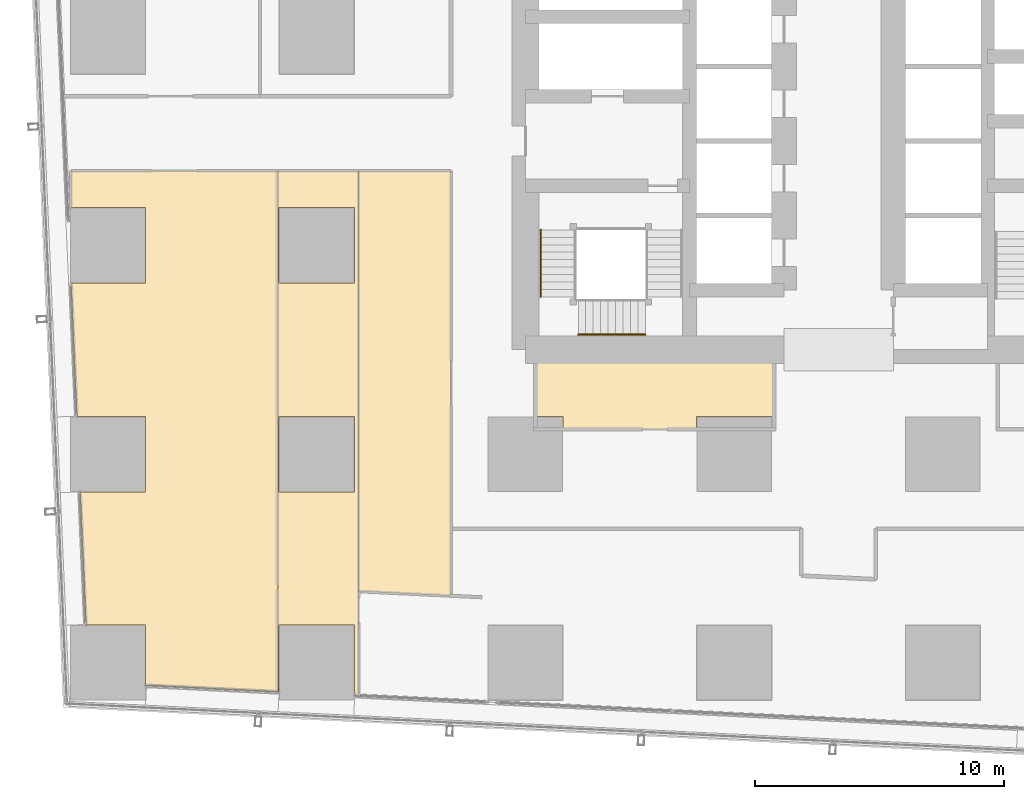
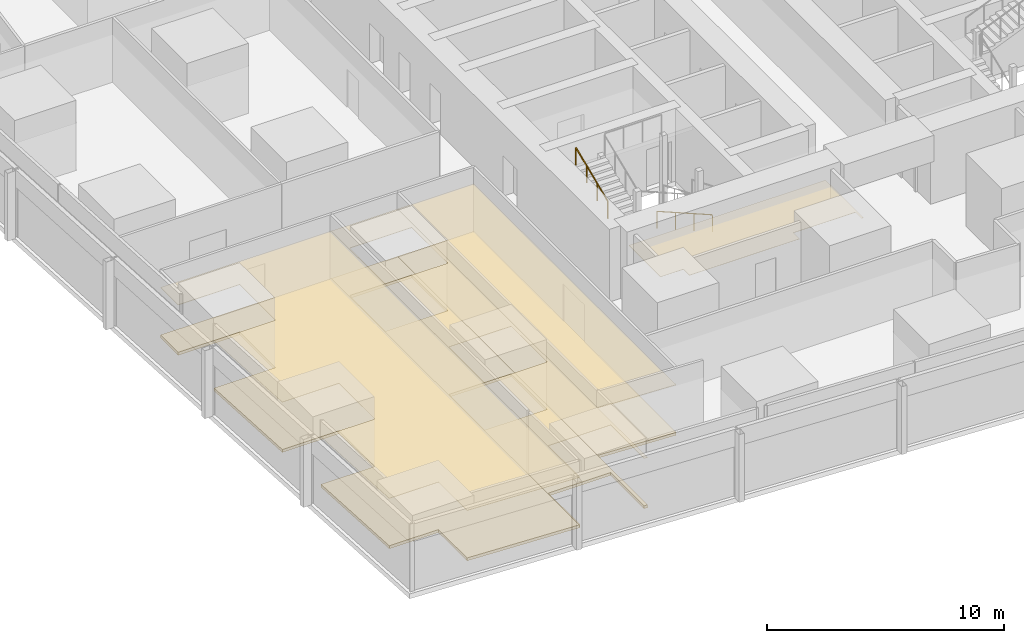
# One storey, part 37 of 45: 7 coverings, 2 railings.
"""IFC4 building model written with IfcOpenShell, lengths in metres."""

from ifc_helpers import new_model, si_unit, direction, frame, origin, origin_2d, place, context, subcontext, project, spatial, polyline, circle, outline, extrude, material, layer, layer_set, type_object, element, save


model = new_model("IFC4")

# Units and contexts
model_context = context("Model", 3, precision=1e-05, world=origin(), true_north=direction((0.0, 1.0)))
body_context = subcontext(model_context, "Body", "Model", "MODEL_VIEW")
ifc_project = project(units=[si_unit("LENGTHUNIT", "METRE"), si_unit("AREAUNIT", "SQUARE_METRE"), si_unit("VOLUMEUNIT", "CUBIC_METRE"), si_unit("PLANEANGLEUNIT", "RADIAN"), si_unit("MASSUNIT", "GRAM", prefix="KILO")], contexts=[model_context])

# Site, building, storey
site_placement = place(None, origin())
site = spatial("IfcSite", under=ifc_project, at=site_placement, CompositionType="ELEMENT")
building_placement = place(site_placement, origin())
building = spatial("IfcBuilding", under=site, at=building_placement, Name="Rekha Terrace Tower", CompositionType="ELEMENT")
storey_placement = place(building_placement, frame((0.0, 0.0, 77.89990234375)))
storey = spatial("IfcBuildingStorey", under=building, at=storey_placement, Name="L19", CompositionType="ELEMENT", Elevation=77.89990234375)

# Coverings
ifc_material_1 = material(Name="Mineral fibre tile in exposed grid", Category="finish")
ifc_layer_1 = layer(ifc_material_1, 0.02001953125)
ifc_layer_set_1 = layer_set([ifc_layer_1], Name="Mineral fibre tile in exposed grid")
covering_type_1 = type_object("IfcCoveringType", Name="CL1 600x1200 office grid ceiling", PredefinedType="CEILING", material=ifc_layer_set_1)
covering_1_placement = place(storey_placement, frame((0.0, 0.0, 2.580078125)))
element("IfcCovering", 1, at=covering_1_placement, inside=storey, type_object=covering_type_1, Name="Ceiling L19-10", PredefinedType="CEILING", context=body_context, shape_type="SweptSolid", body=[
    extrude(outline(polyline([(9.9150390625, 15.284912109375), (7.281005859375, 15.284912109375), (7.282958984375, 15.242919921875), (7.51611328125, 9.9150390625), (9.9150390625, 9.9150390625), (9.9150390625, 7.498046875), (15.241943359375, 7.237060546875), (15.241943359375, 28.199951171875), (6.916015625, 28.199951171875), (6.916015625, 26.715087890625), (9.9150390625, 26.715087890625), (9.9150390625, 23.68505859375), (6.916015625, 23.68505859375), (6.916015625, 23.64306640625), (7.139892578125, 18.514892578125), (7.14892578125, 18.31494140625), (9.9150390625, 18.31494140625), (9.9150390625, 15.284912109375)])), origin(), (0.0, 0.0, 1.0), 0.02001953125),
])
covering_2_placement = place(storey_placement, frame((0.0, 0.0, 2.580078125)))
element("IfcCovering", 2, at=covering_2_placement, inside=storey, type_object=covering_type_1, Name="Ceiling L19-11", PredefinedType="CEILING", context=body_context, shape_type="SweptSolid", body=[
    extrude(outline(polyline([(18.47509765625, 28.199951171875), (15.241943359375, 28.199951171875), (15.241943359375, 7.237060546875), (15.284912109375, 7.235107421875), (15.284912109375, 9.9150390625), (18.31494140625, 9.9150390625), (18.31494140625, 7.0859375), (18.47509765625, 7.077880859375), (18.47509765625, 28.199951171875)]), holes=[polyline([(18.31494140625, 15.284912109375), (15.284912109375, 15.284912109375), (15.284912109375, 18.31494140625), (18.31494140625, 18.31494140625), (18.31494140625, 15.284912109375)]), polyline([(18.31494140625, 23.68505859375), (15.284912109375, 23.68505859375), (15.284912109375, 26.715087890625), (18.31494140625, 26.715087890625), (18.31494140625, 23.68505859375)])]), origin(), (0.0, 0.0, 1.0), 0.02001953125),
])
covering_3_placement = place(storey_placement, frame((0.0, 0.0, 2.580078125)))
element("IfcCovering", 3, at=covering_3_placement, inside=storey, type_object=covering_type_1, Name="Ceiling L19-12", PredefinedType="CEILING", context=body_context, shape_type="SweptSolid", body=[
    extrude(outline(polyline([(22.199951171875, 11.10009765625), (22.199951171875, 28.199951171875), (18.47509765625, 28.199951171875), (18.47509765625, 11.282958984375), (22.199951171875, 11.10009765625)])), origin(), (0.0, 0.0, 1.0), 0.02001953125),
])
ifc_material_2 = material(Name="Fibre cement board", Category="finish")
ifc_layer_2 = layer(ifc_material_2, 0.014892578125)
ifc_layer_set_2 = layer_set([ifc_layer_2], Name="Fibre cement board")
covering_type_2 = type_object("IfcCoveringType", Name="CL2 moisture-resistant board ceiling", PredefinedType="CEILING", material=ifc_layer_set_2)
covering_4_placement = place(storey_placement, frame((0.0, 0.0, 2.585205078125)))
element("IfcCovering", 4, at=covering_4_placement, inside=storey, type_object=covering_type_2, Name="Ceiling L19-WCM", PredefinedType="CEILING", context=body_context, shape_type="SweptSolid", body=[
    extrude(outline(polyline([(35.199951171875, 21.0), (25.60009765625, 21.0), (25.60009765625, 18.31494140625), (26.715087890625, 18.31494140625), (26.715087890625, 17.800048828125), (32.0849609375, 17.800048828125), (32.0849609375, 18.31494140625), (35.114990234375, 18.31494140625), (35.114990234375, 17.800048828125), (35.199951171875, 17.800048828125), (35.199951171875, 21.0)])), origin(), (0.0, 0.0, 1.0), 0.014892578125),
])

# Railings
ifc_material_3 = material(Name="Stainless steel tube", Category="steel")
railing_type = type_object("IfcRailingType", Name="HR1 900 stair handrail", PredefinedType="HANDRAIL", material=ifc_material_3)
railing_1_placement = place(storey_placement, frame((30.02490234375, 21.610107421875, 1.375)))
element("IfcRailing", 5, at=railing_1_placement, inside=storey, type_object=railing_type, Name="Handrail ST1 L19 flight 2", PredefinedType="HANDRAIL", context=body_context, shape_type="SweptSolid", body=[
    extrude(circle(Radius=0.02392578125, at=origin_2d()), frame((0.0, 0.0, 0.8759765625), z_axis=(-0.923074453586, 0.0, 0.384621311341), x_axis=(0.0, -1.0, 0.0)), (0.0, 0.0, 1.0), 2.925048828125),
    extrude(circle(Radius=0.02099609375, at=origin_2d()), origin(), (0.0, 0.0, 1.0), 0.851806640625),
    extrude(circle(Radius=0.02099609375, at=origin_2d()), frame((-0.89990234375, 0.0, 0.375)), (0.0, 0.0, 1.0), 0.851806640625),
    extrude(circle(Radius=0.02099609375, at=origin_2d()), frame((-1.800048828125, 0.0, 0.75)), (0.0, 0.0, 1.0), 0.851806640625),
    extrude(circle(Radius=0.02099609375, at=origin_2d()), frame((-2.699951171875, 0.0, 1.125)), (0.0, 0.0, 1.0), 0.851806640625),
])
railing_2_placement = place(storey_placement, frame((25.81005859375, 23.125, 2.625)))
element("IfcRailing", 6, at=railing_2_placement, inside=storey, type_object=railing_type, Name="Handrail ST1 L19 flight 3", PredefinedType="HANDRAIL", context=body_context, shape_type="SweptSolid", body=[
    extrude(circle(Radius=0.02392578125, at=origin_2d()), frame((0.0, 0.0, 0.8759765625), z_axis=(0.0, 0.923074453586, 0.384621311341), x_axis=(-1.0, 0.0, 0.0)), (0.0, 0.0, 1.0), 2.925048828125),
    extrude(circle(Radius=0.02099609375, at=origin_2d()), origin(), (0.0, 0.0, 1.0), 0.851806640625),
    extrude(circle(Radius=0.02099609375, at=origin_2d()), frame((0.0, 0.89990234375, 0.375)), (0.0, 0.0, 1.0), 0.851806640625),
    extrude(circle(Radius=0.02099609375, at=origin_2d()), frame((0.0, 1.800048828125, 0.75)), (0.0, 0.0, 1.0), 0.851806640625),
    extrude(circle(Radius=0.02099609375, at=origin_2d()), frame((0.0, 2.699951171875, 1.125)), (0.0, 0.0, 1.0), 0.851806640625),
])

# Coverings
ifc_material_4 = material(Name="Calcium sulphate panels on steel pedestals", Category="steel")
ifc_layer_3 = layer(ifc_material_4, 0.14990234375)
ifc_layer_set_3 = layer_set([ifc_layer_3], Name="Calcium sulphate panels on steel pedestals")
covering_type_3 = type_object("IfcCoveringType", Name="RF1 150 raised access floor", PredefinedType="FLOORING", material=ifc_layer_set_3)
covering_5_placement = place(storey_placement, origin())
element("IfcCovering", 7, at=covering_5_placement, inside=storey, type_object=covering_type_3, Name="Raised floor L19-10", PredefinedType="FLOORING", context=body_context, shape_type="SweptSolid", body=[
    extrude(outline(polyline([(9.9150390625, 15.284912109375), (7.281005859375, 15.284912109375), (7.282958984375, 15.242919921875), (7.51611328125, 9.9150390625), (9.9150390625, 9.9150390625), (9.9150390625, 7.498046875), (15.241943359375, 7.237060546875), (15.241943359375, 28.199951171875), (6.916015625, 28.199951171875), (6.916015625, 26.715087890625), (9.9150390625, 26.715087890625), (9.9150390625, 23.68505859375), (6.916015625, 23.68505859375), (6.916015625, 23.64306640625), (7.139892578125, 18.514892578125), (7.14892578125, 18.31494140625), (9.9150390625, 18.31494140625), (9.9150390625, 15.284912109375)])), origin(), (0.0, 0.0, 1.0), 0.150146484375),
])
covering_6_placement = place(storey_placement, origin())
element("IfcCovering", 8, at=covering_6_placement, inside=storey, type_object=covering_type_3, Name="Raised floor L19-11", PredefinedType="FLOORING", context=body_context, shape_type="SweptSolid", body=[
    extrude(outline(polyline([(18.47509765625, 28.199951171875), (15.241943359375, 28.199951171875), (15.241943359375, 7.237060546875), (15.284912109375, 7.235107421875), (15.284912109375, 9.9150390625), (18.31494140625, 9.9150390625), (18.31494140625, 7.0859375), (18.47509765625, 7.077880859375), (18.47509765625, 28.199951171875)]), holes=[polyline([(18.31494140625, 15.284912109375), (15.284912109375, 15.284912109375), (15.284912109375, 18.31494140625), (18.31494140625, 18.31494140625), (18.31494140625, 15.284912109375)]), polyline([(18.31494140625, 23.68505859375), (15.284912109375, 23.68505859375), (15.284912109375, 26.715087890625), (18.31494140625, 26.715087890625), (18.31494140625, 23.68505859375)])]), origin(), (0.0, 0.0, 1.0), 0.150146484375),
])
covering_7_placement = place(storey_placement, origin())
element("IfcCovering", 9, at=covering_7_placement, inside=storey, type_object=covering_type_3, Name="Raised floor L19-12", PredefinedType="FLOORING", context=body_context, shape_type="SweptSolid", body=[
    extrude(outline(polyline([(22.199951171875, 11.10009765625), (22.199951171875, 28.199951171875), (18.47509765625, 28.199951171875), (18.47509765625, 11.282958984375), (22.199951171875, 11.10009765625)])), origin(), (0.0, 0.0, 1.0), 0.150146484375),
])

save(model, "model.ifc")
